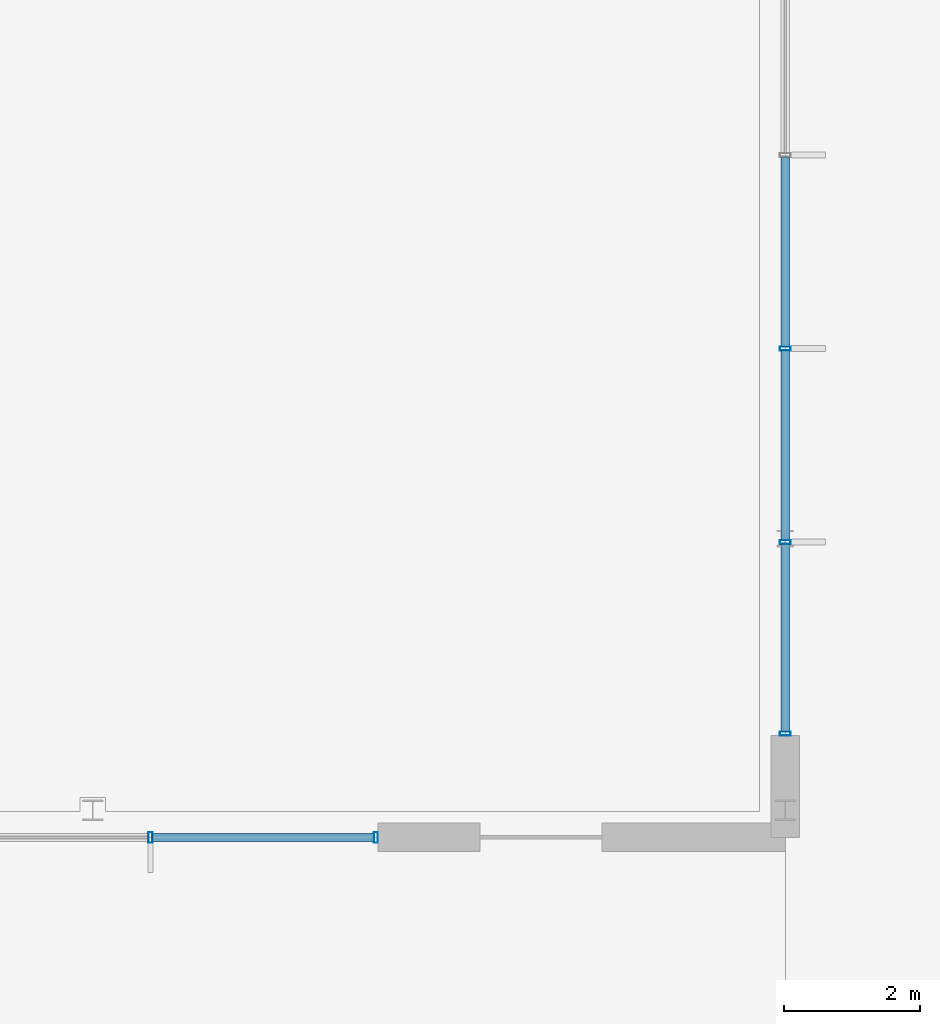
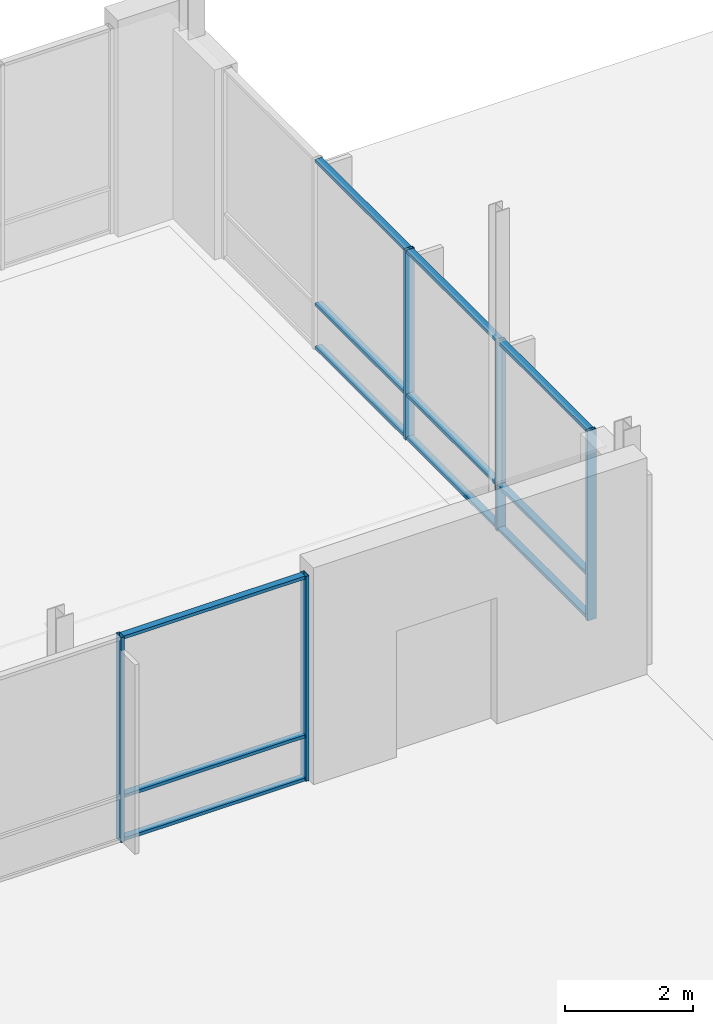
# One storey, part 124 of 233: 17 members, 2 elements without a shape of their own.
"""IFC4 building model written with IfcOpenShell, lengths in metres."""

from ifc_helpers import new_model, si_unit, direction, frame, origin, origin_2d, place, context, subcontext, project, spatial, hollow_rectangle, extrude, material, material_profile, profile_set, type_object, element, aggregate, save


model = new_model("IFC4")

# Units and contexts
model_context = context("Model", 3, precision=1e-05, world=origin(), true_north=direction((0.0, 1.0)))
body_context = subcontext(model_context, "Body", "Model", "MODEL_VIEW")
ifc_project = project(units=[si_unit("LENGTHUNIT", "METRE"), si_unit("AREAUNIT", "SQUARE_METRE"), si_unit("VOLUMEUNIT", "CUBIC_METRE"), si_unit("PLANEANGLEUNIT", "RADIAN"), si_unit("MASSUNIT", "GRAM", prefix="KILO")], contexts=[model_context])

# Site, building, storey
site_placement = place(None, origin())
site = spatial("IfcSite", under=ifc_project, at=site_placement, CompositionType="ELEMENT")
building_placement = place(site_placement, origin())
building = spatial("IfcBuilding", under=site, at=building_placement, Name="Zavelmont Quarter", CompositionType="ELEMENT")
storey_placement = place(building_placement, origin())
storey = spatial("IfcBuildingStorey", under=building, at=storey_placement, Name="L00", CompositionType="ELEMENT", Elevation=0.0)

# Curtain wall, members
ifc_material_1 = material(Name="Thermally broken aluminium and double low-E safety glazing", Category="aluminium")
curtain_wall_type_1 = type_object("IfcCurtainWallType", Name="CW-1340X390", PredefinedType="NOTDEFINED", material=ifc_material_1)
curtain_wall_1_placement = place(storey_placement, origin())
curtain_wall_1 = element("IfcCurtainWall", 1, at=curtain_wall_1_placement, inside=storey, type_object=curtain_wall_type_1, Name="L00 unitised curtain wall CW-1340X390", PredefinedType="NOTDEFINED")
ifc_material_2 = material(Name="Powder-coated aluminium EN AW-6063-T6", Category="aluminium")
ifc_material_profile_1 = material_profile(ifc_material_2, hollow_rectangle(XDim=0.06005859375, YDim=0.159912109375, WallThickness=0.00390625, at=origin_2d()), Name="CWM60X160")
ifc_profile_set_1 = profile_set([ifc_material_profile_1], Name="Powder-coated aluminium EN AW-6063-T6")
member_type_1 = type_object("IfcMemberType", Name="CWM01", PredefinedType="MULLION", material=ifc_profile_set_1)
member_1_placement = place(storey_placement, frame((66.64990234375, 101.60009765625, 0.0), z_axis=(0.0, 0.0, 1.0), x_axis=(1.0, 0.0, 0.0)))
member_1 = element("IfcMember", 2, at=member_1_placement, type_object=member_type_1, Name="CW-1340X390 mullion 4", PredefinedType="MULLION", context=body_context, shape_type="SweptSolid", body=[
    extrude(hollow_rectangle(XDim=0.06005859375, YDim=0.159912109375, WallThickness=0.00390625, at=origin_2d()), origin(), (0.0, 0.0, 1.0), 3.89990234375),
])
member_2_placement = place(storey_placement, frame((69.969970703125, 101.60009765625, 0.0), z_axis=(0.0, 0.0, 1.0), x_axis=(1.0, 0.0, 0.0)))
member_2 = element("IfcMember", 3, at=member_2_placement, type_object=member_type_1, Name="CW-1340X390 mullion 5", PredefinedType="MULLION", context=body_context, shape_type="SweptSolid", body=[
    extrude(hollow_rectangle(XDim=0.06005859375, YDim=0.159912109375, WallThickness=0.00390625, at=origin_2d()), origin(), (0.0, 0.0, 1.0), 3.89990234375),
])

curtain_wall_type_2 = type_object("IfcCurtainWallType", Name="CW-1140X361", PredefinedType="NOTDEFINED", material=ifc_material_1)
curtain_wall_2_placement = place(storey_placement, origin())
curtain_wall_2 = element("IfcCurtainWall", 4, at=curtain_wall_2_placement, inside=storey, type_object=curtain_wall_type_2, Name="L00 unitised curtain wall CW-1140X361", PredefinedType="NOTDEFINED")
member_3_placement = place(storey_placement, frame((76.0, 103.1298828125, 0.0), z_axis=(0.0, 0.0, 1.0), x_axis=(0.0, 1.0, 0.0)))
member_3 = element("IfcMember", 5, at=member_3_placement, type_object=member_type_1, Name="CW-1140X361 mullion 1", PredefinedType="MULLION", context=body_context, shape_type="SweptSolid", body=[
    extrude(hollow_rectangle(XDim=0.06005859375, YDim=0.159912109375, WallThickness=0.00390625, at=origin_2d()), origin(), (0.0, 0.0, 1.0), 3.610107421875),
])
member_4_placement = place(storey_placement, frame((76.0, 105.949951171875, 0.0), z_axis=(0.0, 0.0, 1.0), x_axis=(0.0, 1.0, 0.0)))
member_4 = element("IfcMember", 6, at=member_4_placement, type_object=member_type_1, Name="CW-1140X361 mullion 2", PredefinedType="MULLION", context=body_context, shape_type="SweptSolid", body=[
    extrude(hollow_rectangle(XDim=0.06005859375, YDim=0.159912109375, WallThickness=0.00390625, at=origin_2d()), origin(), (0.0, 0.0, 1.0), 3.610107421875),
])
member_5_placement = place(storey_placement, frame((76.0, 108.800048828125, 0.0), z_axis=(0.0, 0.0, 1.0), x_axis=(0.0, 1.0, 0.0)))
member_5 = element("IfcMember", 7, at=member_5_placement, type_object=member_type_1, Name="CW-1140X361 mullion 3", PredefinedType="MULLION", context=body_context, shape_type="SweptSolid", body=[
    extrude(hollow_rectangle(XDim=0.06005859375, YDim=0.159912109375, WallThickness=0.00390625, at=origin_2d()), origin(), (0.0, 0.0, 1.0), 3.610107421875),
])

# Member
ifc_material_profile_2 = material_profile(ifc_material_2, hollow_rectangle(XDim=0.1201171875, YDim=0.06005859375, WallThickness=0.00390625, at=origin_2d()), Name="CWT60X120")
ifc_profile_set_2 = profile_set([ifc_material_profile_2], Name="Powder-coated aluminium EN AW-6063-T6")
member_type_2 = type_object("IfcMemberType", Name="CWT01", PredefinedType="NOTDEFINED", material=ifc_profile_set_2)
member_6_placement = place(storey_placement, frame((66.679931640625, 101.60009765625, 0.030029296875), z_axis=(1.0, 0.0, 0.0), x_axis=(0.0, 1.0, 0.0)))
member_6 = element("IfcMember", 8, at=member_6_placement, type_object=member_type_2, Name="CW-1340X390 transom 4.1", ObjectType="TRANSOM", PredefinedType="USERDEFINED", context=body_context, shape_type="SweptSolid", body=[
    extrude(hollow_rectangle(XDim=0.1201171875, YDim=0.06005859375, WallThickness=0.00390625, at=origin_2d()), origin(), (0.0, 0.0, 1.0), 3.260009765625),
])

member_7_placement = place(storey_placement, frame((66.679931640625, 101.60009765625, 0.85009765625), z_axis=(1.0, 0.0, 0.0), x_axis=(0.0, 1.0, 0.0)))
member_7 = element("IfcMember", 9, at=member_7_placement, type_object=member_type_2, Name="CW-1340X390 transom 4.2", ObjectType="TRANSOM", PredefinedType="USERDEFINED", context=body_context, shape_type="SweptSolid", body=[
    extrude(hollow_rectangle(XDim=0.1201171875, YDim=0.06005859375, WallThickness=0.00390625, at=origin_2d()), origin(), (0.0, 0.0, 1.0), 3.260009765625),
])

member_8_placement = place(storey_placement, frame((66.679931640625, 101.60009765625, 3.8701171875), z_axis=(1.0, 0.0, 0.0), x_axis=(0.0, 1.0, 0.0)))
member_8 = element("IfcMember", 10, at=member_8_placement, type_object=member_type_2, Name="CW-1340X390 transom 4.3", ObjectType="TRANSOM", PredefinedType="USERDEFINED", context=body_context, shape_type="SweptSolid", body=[
    extrude(hollow_rectangle(XDim=0.1201171875, YDim=0.06005859375, WallThickness=0.00390625, at=origin_2d()), origin(), (0.0, 0.0, 1.0), 3.260009765625),
])

aggregate(curtain_wall_1, [member_1, member_2, member_6, member_7, member_8])

member_9_placement = place(storey_placement, frame((76.0, 103.159912109375, 0.030029296875), z_axis=(0.0, 1.0, 0.0), x_axis=(-1.0, 0.0, 0.0)))
member_9 = element("IfcMember", 11, at=member_9_placement, type_object=member_type_2, Name="CW-1140X361 transom 1.1", ObjectType="TRANSOM", PredefinedType="USERDEFINED", context=body_context, shape_type="SweptSolid", body=[
    extrude(hollow_rectangle(XDim=0.1201171875, YDim=0.06005859375, WallThickness=0.00390625, at=origin_2d()), origin(), (0.0, 0.0, 1.0), 2.760009765625),
])

member_10_placement = place(storey_placement, frame((76.0, 103.159912109375, 0.85009765625), z_axis=(0.0, 1.0, 0.0), x_axis=(-1.0, 0.0, 0.0)))
member_10 = element("IfcMember", 12, at=member_10_placement, type_object=member_type_2, Name="CW-1140X361 transom 1.2", ObjectType="TRANSOM", PredefinedType="USERDEFINED", context=body_context, shape_type="SweptSolid", body=[
    extrude(hollow_rectangle(XDim=0.1201171875, YDim=0.06005859375, WallThickness=0.00390625, at=origin_2d()), origin(), (0.0, 0.0, 1.0), 2.760009765625),
])

member_11_placement = place(storey_placement, frame((76.0, 103.159912109375, 3.580078125), z_axis=(0.0, 1.0, 0.0), x_axis=(-1.0, 0.0, 0.0)))
member_11 = element("IfcMember", 13, at=member_11_placement, type_object=member_type_2, Name="CW-1140X361 transom 1.3", ObjectType="TRANSOM", PredefinedType="USERDEFINED", context=body_context, shape_type="SweptSolid", body=[
    extrude(hollow_rectangle(XDim=0.1201171875, YDim=0.06005859375, WallThickness=0.00390625, at=origin_2d()), origin(), (0.0, 0.0, 1.0), 2.760009765625),
])

member_12_placement = place(storey_placement, frame((76.0, 105.97998046875, 0.030029296875), z_axis=(0.0, 1.0, 0.0), x_axis=(-1.0, 0.0, 0.0)))
member_12 = element("IfcMember", 14, at=member_12_placement, type_object=member_type_2, Name="CW-1140X361 transom 2.1", ObjectType="TRANSOM", PredefinedType="USERDEFINED", context=body_context, shape_type="SweptSolid", body=[
    extrude(hollow_rectangle(XDim=0.1201171875, YDim=0.06005859375, WallThickness=0.00390625, at=origin_2d()), origin(), (0.0, 0.0, 1.0), 2.7900390625),
])

member_13_placement = place(storey_placement, frame((76.0, 105.97998046875, 0.85009765625), z_axis=(0.0, 1.0, 0.0), x_axis=(-1.0, 0.0, 0.0)))
member_13 = element("IfcMember", 15, at=member_13_placement, type_object=member_type_2, Name="CW-1140X361 transom 2.2", ObjectType="TRANSOM", PredefinedType="USERDEFINED", context=body_context, shape_type="SweptSolid", body=[
    extrude(hollow_rectangle(XDim=0.1201171875, YDim=0.06005859375, WallThickness=0.00390625, at=origin_2d()), origin(), (0.0, 0.0, 1.0), 2.7900390625),
])

member_14_placement = place(storey_placement, frame((76.0, 105.97998046875, 3.580078125), z_axis=(0.0, 1.0, 0.0), x_axis=(-1.0, 0.0, 0.0)))
member_14 = element("IfcMember", 16, at=member_14_placement, type_object=member_type_2, Name="CW-1140X361 transom 2.3", ObjectType="TRANSOM", PredefinedType="USERDEFINED", context=body_context, shape_type="SweptSolid", body=[
    extrude(hollow_rectangle(XDim=0.1201171875, YDim=0.06005859375, WallThickness=0.00390625, at=origin_2d()), origin(), (0.0, 0.0, 1.0), 2.7900390625),
])

member_15_placement = place(storey_placement, frame((76.0, 108.830078125, 0.030029296875), z_axis=(0.0, 1.0, 0.0), x_axis=(-1.0, 0.0, 0.0)))
member_15 = element("IfcMember", 17, at=member_15_placement, type_object=member_type_2, Name="CW-1140X361 transom 3.1", ObjectType="TRANSOM", PredefinedType="USERDEFINED", context=body_context, shape_type="SweptSolid", body=[
    extrude(hollow_rectangle(XDim=0.1201171875, YDim=0.06005859375, WallThickness=0.00390625, at=origin_2d()), origin(), (0.0, 0.0, 1.0), 2.7900390625),
])

member_16_placement = place(storey_placement, frame((76.0, 108.830078125, 0.85009765625), z_axis=(0.0, 1.0, 0.0), x_axis=(-1.0, 0.0, 0.0)))
member_16 = element("IfcMember", 18, at=member_16_placement, type_object=member_type_2, Name="CW-1140X361 transom 3.2", ObjectType="TRANSOM", PredefinedType="USERDEFINED", context=body_context, shape_type="SweptSolid", body=[
    extrude(hollow_rectangle(XDim=0.1201171875, YDim=0.06005859375, WallThickness=0.00390625, at=origin_2d()), origin(), (0.0, 0.0, 1.0), 2.7900390625),
])

member_17_placement = place(storey_placement, frame((76.0, 108.830078125, 3.580078125), z_axis=(0.0, 1.0, 0.0), x_axis=(-1.0, 0.0, 0.0)))
member_17 = element("IfcMember", 19, at=member_17_placement, type_object=member_type_2, Name="CW-1140X361 transom 3.3", ObjectType="TRANSOM", PredefinedType="USERDEFINED", context=body_context, shape_type="SweptSolid", body=[
    extrude(hollow_rectangle(XDim=0.1201171875, YDim=0.06005859375, WallThickness=0.00390625, at=origin_2d()), origin(), (0.0, 0.0, 1.0), 2.7900390625),
])

aggregate(curtain_wall_2, [member_3, member_4, member_5, member_9, member_10, member_11, member_12, member_13, member_14, member_15, member_16, member_17])

save(model, "model.ifc")
